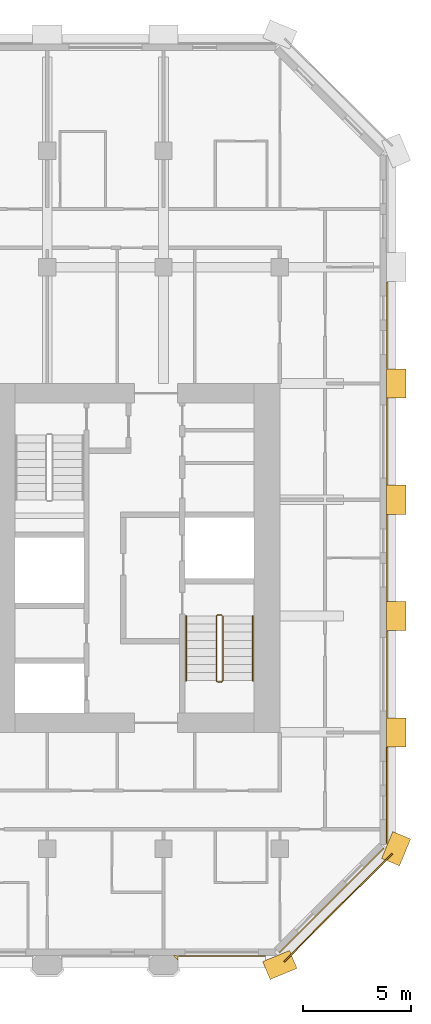
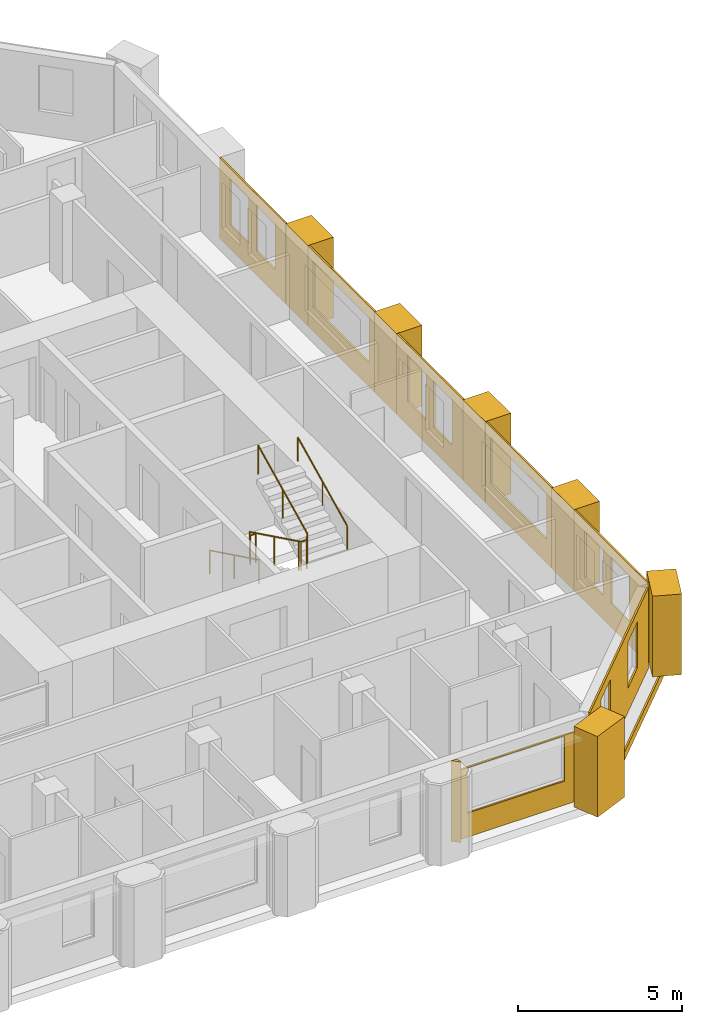
# One storey, part 11 of 12: 15 coverings, 3 railings.
"""IFC4 building model written with IfcOpenShell, lengths in metres."""

from ifc_helpers import new_model, si_unit, direction, frame, frame_2d, origin, origin_2d, place, context, subcontext, project, spatial, polyline, rectangle, circle, outline, extrude, material, layer, layer_set, type_object, element, save


model = new_model("IFC4")

# Units and contexts
model_context = context("Model", 3, precision=1e-05, world=origin(), true_north=direction((0.0, 1.0)))
body_context = subcontext(model_context, "Body", "Model", "MODEL_VIEW")
ifc_project = project(units=[si_unit("LENGTHUNIT", "METRE"), si_unit("AREAUNIT", "SQUARE_METRE"), si_unit("VOLUMEUNIT", "CUBIC_METRE"), si_unit("PLANEANGLEUNIT", "RADIAN"), si_unit("MASSUNIT", "GRAM", prefix="KILO")], contexts=[model_context])

# Site, building, storey
site_placement = place(None, origin())
site = spatial("IfcSite", under=ifc_project, at=site_placement, CompositionType="ELEMENT")
building_placement = place(site_placement, origin())
building = spatial("IfcBuilding", under=site, at=building_placement, Name="Tabaq Tower and Sports Hall", CompositionType="ELEMENT")
storey_placement = place(building_placement, frame((0.0, 0.0, 184.0)))
storey = spatial("IfcBuildingStorey", under=building, at=storey_placement, Name="L44", CompositionType="ELEMENT", Elevation=184.0)

# Coverings
ifc_material_1 = material(Name="Precast concrete C60/75", Category="concrete")
ifc_layer_1 = layer(ifc_material_1, 0.10009765625)
ifc_layer_set_1 = layer_set([ifc_layer_1], Name="Column cladding 100")
covering_type_1 = type_object("IfcCoveringType", Name="Column cladding 100", PredefinedType="CLADDING", material=ifc_layer_set_1)
covering_1_placement = place(storey_placement, origin())
element("IfcCovering", 1, at=covering_1_placement, inside=storey, type_object=covering_type_1, Name="Column cladding L44 PC-8B-H2 3", PredefinedType="CLADDING", context=body_context, shape_type="SweptSolid", body=[
    extrude(outline(polyline([(38.474365234375, 5.62646484375), (38.25146484375, 5.849365234375), (38.39111328125, 5.849365234375), (38.474365234375, 5.76611328125), (38.474365234375, 5.62646484375)])), origin(), (0.0, 0.0, 1.0), 3.0),
])
ifc_material_2 = material(Name="Precast concrete C60/75", Category="concrete")
ifc_layer_2 = layer(ifc_material_2, 0.06005859375)
ifc_layer_set_2 = layer_set([ifc_layer_2], Name="Edge beam cladding 60")
covering_type_2 = type_object("IfcCoveringType", Name="Edge beam cladding 60", PredefinedType="CLADDING", material=ifc_layer_set_2)
covering_2_placement = place(storey_placement, frame((43.39794921875, 5.5556640625, -0.300048828125), z_axis=(0.0, 0.0, 1.0), x_axis=(0.707124002701, 0.707089559252, 0.0)))
element("IfcCovering", 2, at=covering_2_placement, inside=storey, type_object=covering_type_2, Name="Edge beam cladding L44 1", PredefinedType="CLADDING", context=body_context, shape_type="SweptSolid", body=[
    extrude(rectangle(XDim=7.088134765625, YDim=0.06005859375, at=frame_2d((3.5439453125, 0.0))), origin(), (0.0, 0.0, 1.0), 0.300048828125),
])
ifc_material_3 = material(Name="White precast concrete C60/75", Category="concrete")
covering_type_3 = type_object("IfcCoveringType", Name="Pier cladding hung 1350x900", PredefinedType="CLADDING", material=ifc_material_3)
for number, where, z_axis, x_axis, name in (
    (3, (42.576416015625, 5.1416015625, 0.0), (0.0, 0.0, 1.0), (0.923893411637, 0.382649923473, 0.0), "Hung pier cladding 8/1"),
    (4, (48.341796875, 10.17626953125, 0.0), (0.0, 0.0, 1.0), (0.382649923473, 0.923893411637, 0.0), "Hung pier cladding 9/2"),
    (5, (48.60009765625, 15.52490234375, 0.0), (0.0, 0.0, 1.0), (0.0, 1.0, 0.0), "Hung pier cladding 9/3"),
):
    element("IfcCovering", number, at=place(storey_placement, frame(where, z_axis=z_axis, x_axis=x_axis)), inside=storey, type_object=covering_type_3, Name=name, PredefinedType="CLADDING", context=body_context, shape_type="SweptSolid", body=[
        extrude(rectangle(XDim=1.35009765625, YDim=0.89990234375, at=frame_2d((0.675048828125, 0.0))), origin(), (0.0, 0.0, 1.0), 3.0),
    ])
covering_3_placement = place(storey_placement, frame((48.60009765625, 20.925048828125, 0.0), z_axis=(0.0, 0.0, 1.0), x_axis=(0.0, 1.0, 0.0)))
element("IfcCovering", 6, at=covering_3_placement, inside=storey, type_object=covering_type_3, Name="Hung pier cladding 9/4", PredefinedType="CLADDING", context=body_context, shape_type="SweptSolid", body=[
    extrude(rectangle(XDim=1.349853515625, YDim=0.89990234375, at=frame_2d((0.6748046875, 0.0))), origin(), (0.0, 0.0, 1.0), 3.0),
])
covering_4_placement = place(storey_placement, frame((48.60009765625, 26.324951171875, 0.0), z_axis=(0.0, 0.0, 1.0), x_axis=(0.0, 1.0, 0.0)))
element("IfcCovering", 7, at=covering_4_placement, inside=storey, type_object=covering_type_3, Name="Hung pier cladding 9/5", PredefinedType="CLADDING", context=body_context, shape_type="SweptSolid", body=[
    extrude(rectangle(XDim=1.35009765625, YDim=0.89990234375, at=frame_2d((0.675048828125, 0.0))), origin(), (0.0, 0.0, 1.0), 3.0),
])
covering_5_placement = place(storey_placement, frame((48.60009765625, 31.72509765625, 0.0), z_axis=(0.0, 0.0, 1.0), x_axis=(0.0, 1.0, 0.0)))
element("IfcCovering", 8, at=covering_5_placement, inside=storey, type_object=covering_type_3, Name="Hung pier cladding 9/6", PredefinedType="CLADDING", context=body_context, shape_type="SweptSolid", body=[
    extrude(rectangle(XDim=1.349853515625, YDim=0.89990234375, at=frame_2d((0.6748046875, 0.0))), origin(), (0.0, 0.0, 1.0), 3.0),
])

# Railings
ifc_material_4 = material(Name="Stainless steel", Category="steel")
railing_type_1 = type_object("IfcRailingType", Name="Stair guard", PredefinedType="GUARDRAIL", material=ifc_material_4)
railing_1_placement = place(storey_placement, frame((40.5, 21.64990234375, 0.0)))
element("IfcRailing", 9, at=railing_1_placement, inside=storey, type_object=railing_type_1, Name="L44 ST3 stair guard 1", PredefinedType="GUARDRAIL", context=body_context, shape_type="SweptSolid", body=[
    extrude(circle(Radius=0.02392578125, at=origin_2d()), frame((0.0, 0.0, 1.076171875), z_axis=(-1.0, 0.0, 0.0), x_axis=(0.0, -1.0, 0.0)), (0.0, 0.0, 1.0), 0.199951171875),
    extrude(circle(Radius=0.02392578125, at=origin_2d()), frame((-0.199951171875, 0.0, 1.076171875), z_axis=(-0.254733673405, -0.25349107012, 0.933195066962), x_axis=(0.705375805398, -0.708833529934, 0.0)), (0.0, 0.0, 1.0), 0.196533203125),
    extrude(circle(Radius=0.02392578125, at=origin_2d()), frame((-0.25, -0.0498046875, 1.25927734375), z_axis=(0.0, -0.898397823093, 0.439182594671), x_axis=(1.0, 0.0, 0.0)), (0.0, 0.0, 1.0), 3.33935546875),
    extrude(circle(Radius=0.02392578125, at=origin_2d()), frame((-0.25, -3.0498046875, 2.72607421875), z_axis=(0.707106781187, -0.707106781187, 0.0), x_axis=(0.707106781187, 0.707106781187, 0.0)), (0.0, 0.0, 1.0), 0.07080078125),
    extrude(circle(Radius=0.02392578125, at=origin_2d()), frame((-0.199951171875, -3.099853515625, 2.72607421875), z_axis=(1.0, 0.0, 0.0), x_axis=(0.0, 1.0, 0.0)), (0.0, 0.0, 1.0), 0.199951171875),
    extrude(circle(Radius=0.02392578125, at=origin_2d()), frame((0.0, -3.099853515625, 2.72607421875), z_axis=(0.254653276557, 0.254653276557, 0.932900539971), x_axis=(-0.707106781187, 0.707106781187, 0.0)), (0.0, 0.0, 1.0), 0.196533203125),
    extrude(circle(Radius=0.02392578125, at=origin_2d()), frame((0.050048828125, -3.0498046875, 2.9091796875), z_axis=(0.0, 0.898368975038, 0.439241601728), x_axis=(-1.0, 0.0, 0.0)), (0.0, 0.0, 1.0), 3.33935546875),
    extrude(circle(Radius=0.02099609375, at=origin_2d()), origin(), (0.0, 0.0, 1.0), 1.052001953125),
    extrude(circle(Radius=0.02099609375, at=origin_2d()), frame((-0.199951171875, 0.0, 0.0)), (0.0, 0.0, 1.0), 1.052001953125),
    extrude(circle(Radius=0.02099609375, at=origin_2d()), frame((-0.25, -0.0498046875, 0.183349609375)), (0.0, 0.0, 1.0), 1.052001953125),
    extrude(circle(Radius=0.02099609375, at=origin_2d()), frame((-0.25, -1.5498046875, 0.91650390625)), (0.0, 0.0, 1.0), 1.052001953125),
    extrude(circle(Radius=0.02099609375, at=origin_2d()), frame((-0.25, -3.0498046875, 1.64990234375)), (0.0, 0.0, 1.0), 1.052001953125),
    extrude(circle(Radius=0.02099609375, at=origin_2d()), frame((-0.199951171875, -3.099853515625, 1.64990234375)), (0.0, 0.0, 1.0), 1.052001953125),
    extrude(circle(Radius=0.02099609375, at=origin_2d()), frame((0.0, -3.099853515625, 1.64990234375)), (0.0, 0.0, 1.0), 1.052001953125),
    extrude(circle(Radius=0.02099609375, at=origin_2d()), frame((0.050048828125, -3.0498046875, 1.833251953125)), (0.0, 0.0, 1.0), 1.052001953125),
    extrude(circle(Radius=0.02099609375, at=origin_2d()), frame((0.050048828125, -1.5498046875, 2.566650390625)), (0.0, 0.0, 1.0), 1.052001953125),
    extrude(circle(Radius=0.02099609375, at=origin_2d()), frame((0.050048828125, -0.0498046875, 3.300048828125)), (0.0, 0.0, 1.0), 1.052001953125),
])
ifc_material_5 = material(Name="Stainless steel", Category="steel")
railing_type_2 = type_object("IfcRailingType", Name="Stair handrail", PredefinedType="HANDRAIL", material=ifc_material_5)
railing_2_placement = place(storey_placement, frame((38.85009765625, 21.60009765625, 0.183349609375)))
element("IfcRailing", 10, at=railing_2_placement, inside=storey, type_object=railing_type_2, Name="L44 ST3 stair handrail 1", PredefinedType="HANDRAIL", context=body_context, shape_type="SweptSolid", body=[
    extrude(circle(Radius=0.02392578125, at=origin_2d()), frame((0.0, 0.0, 0.8759765625), z_axis=(0.0, -0.898397823093, 0.439182594671), x_axis=(1.0, 0.0, 0.0)), (0.0, 0.0, 1.0), 3.33935546875),
    extrude(circle(Radius=0.02099609375, at=origin_2d()), origin(), (0.0, 0.0, 1.0), 0.851806640625),
    extrude(circle(Radius=0.02099609375, at=origin_2d()), frame((0.0, -1.5, 0.7333984375)), (0.0, 0.0, 1.0), 0.851806640625),
    extrude(circle(Radius=0.02099609375, at=origin_2d()), frame((0.0, -3.0, 1.466552734375)), (0.0, 0.0, 1.0), 0.851806640625),
])
railing_3_placement = place(storey_placement, frame((41.949951171875, 18.60009765625, 1.833251953125)))
element("IfcRailing", 11, at=railing_3_placement, inside=storey, type_object=railing_type_2, Name="L44 ST3 stair handrail 2", PredefinedType="HANDRAIL", context=body_context, shape_type="SweptSolid", body=[
    extrude(circle(Radius=0.02392578125, at=origin_2d()), frame((0.0, 0.0, 0.8759765625), z_axis=(0.0, 0.898368975038, 0.439241601728), x_axis=(-1.0, 0.0, 0.0)), (0.0, 0.0, 1.0), 3.33935546875),
    extrude(circle(Radius=0.02099609375, at=origin_2d()), origin(), (0.0, 0.0, 1.0), 0.851806640625),
    extrude(circle(Radius=0.02099609375, at=origin_2d()), frame((0.0, 1.5, 0.7333984375)), (0.0, 0.0, 1.0), 0.851806640625),
    extrude(circle(Radius=0.02099609375, at=origin_2d()), frame((0.0, 3.0, 1.466796875)), (0.0, 0.0, 1.0), 0.851806640625),
])

# Coverings
ifc_material_6 = material(Name="Precast concrete C60/75", Category="concrete")
ifc_layer_3 = layer(ifc_material_6, 0.06005859375)
ifc_layer_set_3 = layer_set([ifc_layer_3], Name="White precast cladding panel 60 C60/75")
covering_type_4 = type_object("IfcCoveringType", Name="White precast cladding panel 60 C60/75", PredefinedType="CLADDING", material=ifc_layer_set_3)
covering_6_placement = place(storey_placement, frame((38.485107421875, 5.820068359375, 0.0), z_axis=(0.0, 0.0, 1.0), x_axis=(1.0, 0.0, 0.0)))
element("IfcCovering", 12, at=covering_6_placement, inside=storey, type_object=covering_type_4, Name="White precast cladding panel L44 wall00 6", PredefinedType="CLADDING", context=body_context, shape_type="SweptSolid", body=[
    extrude(outline(polyline([(0.0, 0.0), (4.0498046875, 0.0), (4.0498046875, 2.590087890625), (0.0, 2.590087890625), (0.0, 0.0)]), holes=[polyline([(3.72509765625, 0.889892578125), (0.304931640625, 0.889892578125), (0.304931640625, 2.56005859375), (3.72509765625, 2.56005859375), (3.72509765625, 0.889892578125)])]), frame((0.0, 0.030029296875, 0.0), z_axis=(0.0, -1.0, 0.0), x_axis=(1.0, 0.0, 0.0)), (0.0, 0.0, 1.0), 0.06005859375),
])
covering_7_placement = place(storey_placement, frame((43.177734375, 5.9716796875, 0.0), z_axis=(0.0, 0.0, 1.0), x_axis=(0.707106781187, 0.707106781187, 0.0)))
element("IfcCovering", 13, at=covering_7_placement, inside=storey, type_object=covering_type_4, Name="White precast cladding panel L44 wall01", PredefinedType="CLADDING", context=body_context, shape_type="SweptSolid", body=[
    extrude(outline(polyline([(0.0, 0.0), (6.85986328125, 0.0), (6.85986328125, 3.0), (0.0, 3.0), (0.0, 0.0)]), holes=[polyline([(1.269775390625, 2.610107421875), (2.389892578125, 2.610107421875), (2.389892578125, 0.889892578125), (1.269775390625, 0.889892578125), (1.269775390625, 2.610107421875)]), polyline([(4.4697265625, 2.610107421875), (5.58984375, 2.610107421875), (5.58984375, 0.889892578125), (4.4697265625, 0.889892578125), (4.4697265625, 2.610107421875)])]), frame((0.0, 0.030029296875, 0.0), z_axis=(0.0, -1.0, 0.0), x_axis=(1.0, 0.0, 0.0)), (0.0, 0.0, 1.0), 0.06005859375),
])
covering_8_placement = place(storey_placement, frame((48.179931640625, 11.043212890625, 0.0), z_axis=(0.0, 0.0, 1.0), x_axis=(0.0, 1.0, 0.0)))
element("IfcCovering", 14, at=covering_8_placement, inside=storey, type_object=covering_type_4, Name="White precast cladding panel L44 wall02", PredefinedType="CLADDING", context=body_context, shape_type="SweptSolid", body=[
    extrude(outline(polyline([(0.0, 0.0), (4.4716796875, 0.0), (4.4716796875, 3.0), (0.0, 3.0), (0.0, 0.0)]), holes=[polyline([(1.096923828125, 2.610107421875), (2.216796875, 2.610107421875), (2.216796875, 0.889892578125), (1.096923828125, 0.889892578125), (1.096923828125, 2.610107421875)]), polyline([(2.69677734375, 2.610107421875), (3.81689453125, 2.610107421875), (3.81689453125, 0.889892578125), (2.69677734375, 0.889892578125), (2.69677734375, 2.610107421875)])]), frame((0.0, 0.030029296875, 0.0), z_axis=(0.0, -1.0, 0.0), x_axis=(1.0, 0.0, 0.0)), (0.0, 0.0, 1.0), 0.06005859375),
])
covering_9_placement = place(storey_placement, frame((48.179931640625, 16.885009765625, 0.0), z_axis=(0.0, 0.0, 1.0), x_axis=(0.0, 1.0, 0.0)))
element("IfcCovering", 15, at=covering_9_placement, inside=storey, type_object=covering_type_4, Name="White precast cladding panel L44 wall02 2", PredefinedType="CLADDING", context=body_context, shape_type="SweptSolid", body=[
    extrude(outline(polyline([(0.0, 0.0), (4.030029296875, 0.0), (4.030029296875, 3.0), (0.0, 3.0), (0.0, 0.0)]), holes=[polyline([(0.304931640625, 0.889892578125), (0.304931640625, 2.610107421875), (3.72509765625, 2.610107421875), (3.72509765625, 0.889892578125), (0.304931640625, 0.889892578125)])]), frame((0.0, 0.030029296875, 0.0), z_axis=(0.0, -1.0, 0.0), x_axis=(1.0, 0.0, 0.0)), (0.0, 0.0, 1.0), 0.06005859375),
])
covering_10_placement = place(storey_placement, frame((48.179931640625, 22.284912109375, 0.0), z_axis=(0.0, 0.0, 1.0), x_axis=(0.0, 1.0, 0.0)))
element("IfcCovering", 16, at=covering_10_placement, inside=storey, type_object=covering_type_4, Name="White precast cladding panel L44 wall02 3", PredefinedType="CLADDING", context=body_context, shape_type="SweptSolid", body=[
    extrude(outline(polyline([(0.0, 0.0), (4.030029296875, 0.0), (4.030029296875, 3.0), (0.0, 3.0), (0.0, 0.0)]), holes=[polyline([(0.655029296875, 2.610107421875), (1.77490234375, 2.610107421875), (1.77490234375, 0.889892578125), (0.655029296875, 0.889892578125), (0.655029296875, 2.610107421875)]), polyline([(2.2548828125, 2.610107421875), (3.375, 2.610107421875), (3.375, 0.889892578125), (2.2548828125, 0.889892578125), (2.2548828125, 2.610107421875)])]), frame((0.0, 0.030029296875, 0.0), z_axis=(0.0, -1.0, 0.0), x_axis=(1.0, 0.0, 0.0)), (0.0, 0.0, 1.0), 0.06005859375),
])
covering_11_placement = place(storey_placement, frame((48.179931640625, 27.68505859375, 0.0), z_axis=(0.0, 0.0, 1.0), x_axis=(0.0, 1.0, 0.0)))
element("IfcCovering", 17, at=covering_11_placement, inside=storey, type_object=covering_type_4, Name="White precast cladding panel L44 wall02 4", PredefinedType="CLADDING", context=body_context, shape_type="SweptSolid", body=[
    extrude(outline(polyline([(0.0, 0.0), (4.030029296875, 0.0), (4.030029296875, 3.0), (0.0, 3.0), (0.0, 0.0)]), holes=[polyline([(0.304931640625, 0.889892578125), (0.304931640625, 2.610107421875), (3.72509765625, 2.610107421875), (3.72509765625, 0.889892578125), (0.304931640625, 0.889892578125)])]), frame((0.0, 0.030029296875, 0.0), z_axis=(0.0, -1.0, 0.0), x_axis=(1.0, 0.0, 0.0)), (0.0, 0.0, 1.0), 0.06005859375),
])
covering_12_placement = place(storey_placement, frame((48.179931640625, 33.0849609375, 0.0), z_axis=(0.0, 0.0, 1.0), x_axis=(0.0, 1.0, 0.0)))
element("IfcCovering", 18, at=covering_12_placement, inside=storey, type_object=covering_type_4, Name="White precast cladding panel L44 wall02 5", PredefinedType="CLADDING", context=body_context, shape_type="SweptSolid", body=[
    extrude(outline(polyline([(0.0, 0.0), (4.030029296875, 0.0), (4.030029296875, 3.0), (0.0, 3.0), (0.0, 0.0)]), holes=[polyline([(0.655029296875, 2.610107421875), (1.77490234375, 2.610107421875), (1.77490234375, 0.889892578125), (0.655029296875, 0.889892578125), (0.655029296875, 2.610107421875)]), polyline([(2.2548828125, 2.610107421875), (3.375, 2.610107421875), (3.375, 0.889892578125), (2.2548828125, 0.889892578125), (2.2548828125, 2.610107421875)])]), frame((0.0, 0.030029296875, 0.0), z_axis=(0.0, -1.0, 0.0), x_axis=(1.0, 0.0, 0.0)), (0.0, 0.0, 1.0), 0.06005859375),
])

save(model, "model.ifc")
